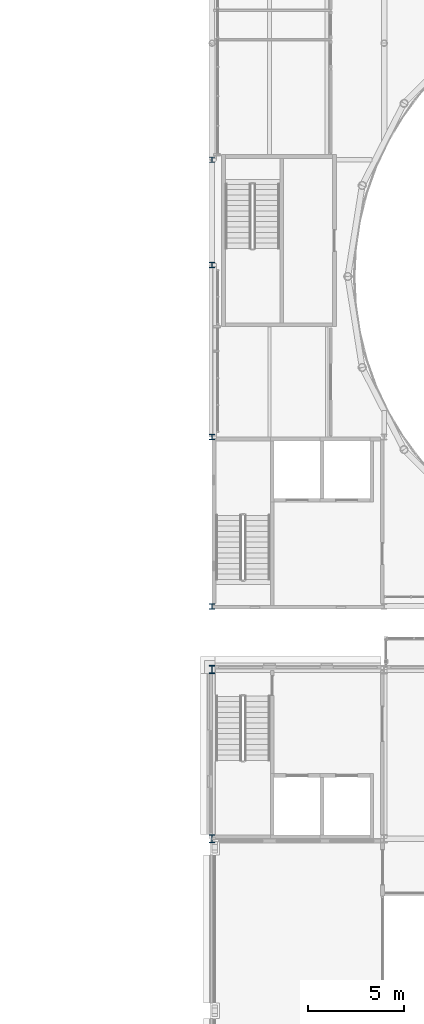
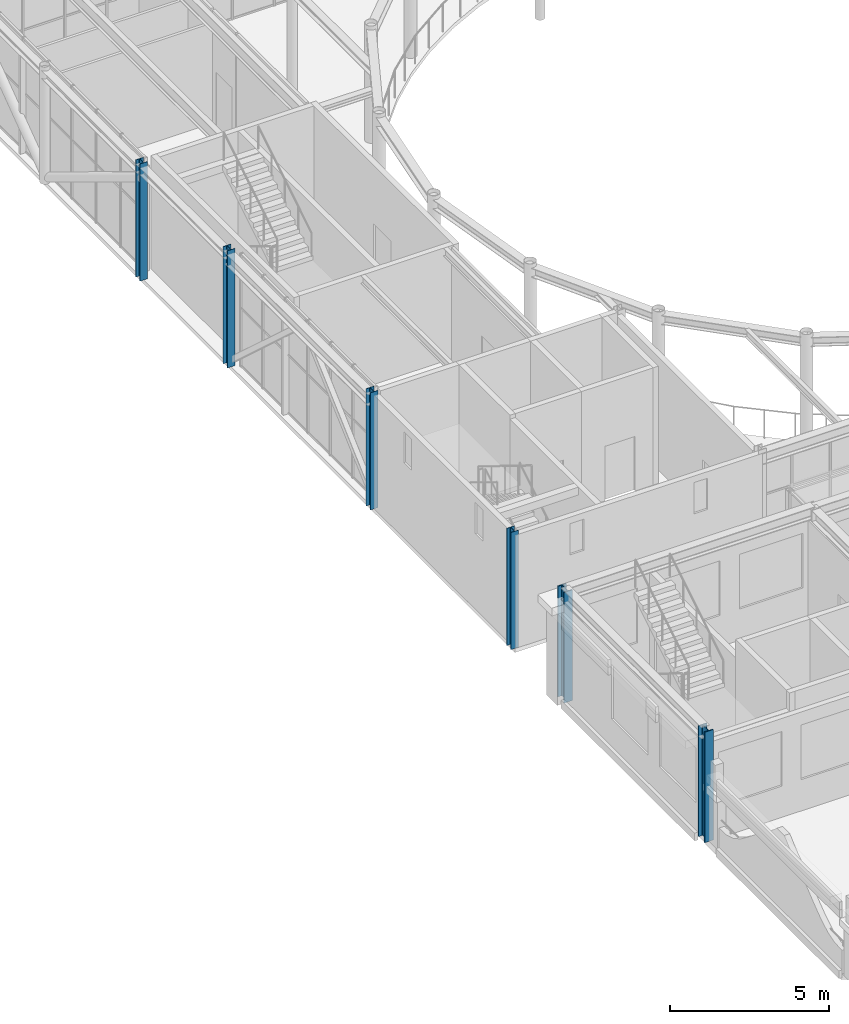
# One storey, part 2 of 70: 6 columns.
"""IFC4 building model written with IfcOpenShell, lengths in metres."""

from ifc_helpers import new_model, si_unit, direction, frame, origin, origin_2d, place, context, subcontext, project, spatial, i_section, extrude, material, material_profile, profile_set, type_object, element, save


model = new_model("IFC4")

# Units and contexts
model_context = context("Model", 3, precision=1e-05, world=origin(), true_north=direction((0.0, 1.0)))
body_context = subcontext(model_context, "Body", "Model", "MODEL_VIEW")
ifc_project = project(units=[si_unit("LENGTHUNIT", "METRE"), si_unit("AREAUNIT", "SQUARE_METRE"), si_unit("VOLUMEUNIT", "CUBIC_METRE"), si_unit("PLANEANGLEUNIT", "RADIAN"), si_unit("MASSUNIT", "GRAM", prefix="KILO")], contexts=[model_context])

# Site, building, storey
site_placement = place(None, origin())
site = spatial("IfcSite", under=ifc_project, at=site_placement, CompositionType="ELEMENT")
building_placement = place(site_placement, origin())
building = spatial("IfcBuilding", under=site, at=building_placement, Name="Kallimachos Central Library", CompositionType="ELEMENT")
storey_placement = place(building_placement, frame((0.0, 0.0, 18.89990234375)))
storey = spatial("IfcBuildingStorey", under=building, at=storey_placement, Name="L04", CompositionType="ELEMENT", Elevation=18.89990234375)

# Columns
ifc_material_1 = material(Name="Steel S355J2", Category="steel")
ifc_material_profile_1 = material_profile(ifc_material_1, i_section(OverallWidth=0.280029296875, OverallDepth=0.280029296875, WebThickness=0.010498046875, FlangeThickness=0.01806640625, FilletRadius=0.02392578125, at=origin_2d()), Name="HEB 280")
ifc_profile_set_1 = profile_set([ifc_material_profile_1], Name="Steel S355J2")
column_type_1 = type_object("IfcColumnType", Name="HEB 280 column", PredefinedType="COLUMN", material=ifc_profile_set_1)
for number, where, z_axis, x_axis, name in (
    (1, (65.5, 87.14990234375, 0.0), (0.0, 0.0, 1.0), (1.0, 0.0, 0.0), "V1-COL-L04-001"),
    (2, (65.5, 96.0, 0.0), (0.0, 0.0, 1.0), (1.0, 0.0, 0.0), "V1-COL-L04-007"),
    (3, (65.5, 105.0, 0.0), (0.0, 0.0, 1.0), (1.0, 0.0, 0.0), "V1-COL-L04-011"),
    (4, (65.5, 110.5, 0.0), (0.0, 0.0, 1.0), (1.0, 0.0, 0.0), "V1-COL-L04-013"),
):
    element("IfcColumn", number, at=place(storey_placement, frame(where, z_axis=z_axis, x_axis=x_axis)), inside=storey, type_object=column_type_1, Name=name, PredefinedType="COLUMN", context=body_context, shape_type="SweptSolid", body=[
        extrude(i_section(OverallWidth=0.280029296875, OverallDepth=0.280029296875, WebThickness=0.010498046875, FlangeThickness=0.01806640625, FilletRadius=0.02392578125, at=origin_2d()), origin(), (0.0, 0.0, 1.0), 4.5),
    ])
ifc_material_2 = material(Name="Steel S355J2", Category="steel")
ifc_material_profile_2 = material_profile(ifc_material_2, i_section(OverallWidth=0.306884765625, OverallDepth=0.431884765625, WebThickness=0.02099609375, FlangeThickness=0.0400390625, FilletRadius=0.027099609375, at=origin_2d()), Name="HEM 400")
ifc_profile_set_2 = profile_set([ifc_material_profile_2], Name="Steel S355J2")
column_type_2 = type_object("IfcColumnType", Name="HEM 400 column", PredefinedType="COLUMN", material=ifc_profile_set_2)
for number, where, z_axis, x_axis, name in (
    (5, (65.5, 75.0, 0.0), (0.0, 0.0, 1.0), (1.0, 0.0, 0.0), "V4-COL-L04-003"),
    (6, (65.5, 83.85009765625, 0.0), (0.0, 0.0, 1.0), (1.0, 0.0, 0.0), "V4-COL-L04-009"),
):
    element("IfcColumn", number, at=place(storey_placement, frame(where, z_axis=z_axis, x_axis=x_axis)), inside=storey, type_object=column_type_2, Name=name, PredefinedType="COLUMN", context=body_context, shape_type="SweptSolid", body=[
        extrude(i_section(OverallWidth=0.306884765625, OverallDepth=0.431884765625, WebThickness=0.02099609375, FlangeThickness=0.0400390625, FilletRadius=0.027099609375, at=origin_2d()), origin(), (0.0, 0.0, 1.0), 4.25),
    ])

save(model, "model.ifc")
